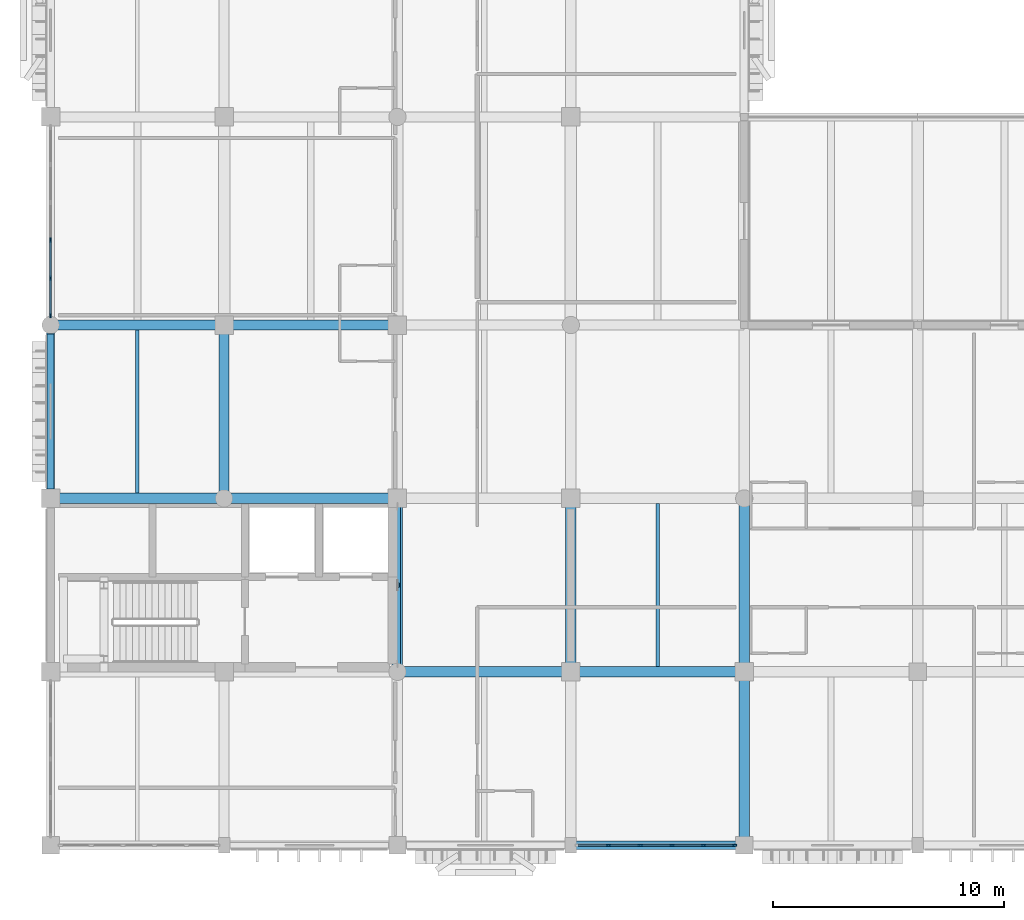
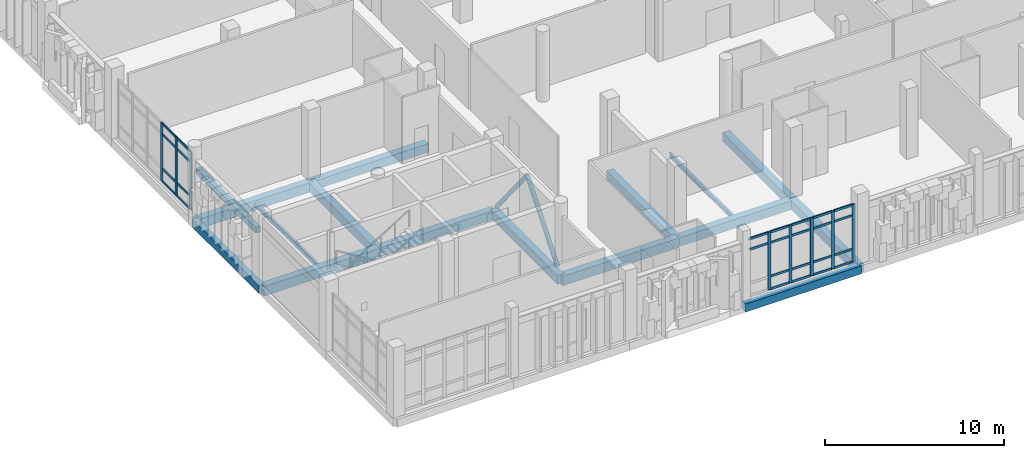
# One storey, part 17 of 131: 36 members, 16 beams, 2 elements without a shape of their own.
"""IFC4 building model written with IfcOpenShell, lengths in metres."""

from ifc_helpers import new_model, si_unit, direction, frame, origin, origin_2d, place, context, subcontext, project, spatial, rectangle, hollow_circle, i_section, extrude, material, layer, layer_set, material_profile, profile_set, type_object, element, aggregate, save


model = new_model("IFC4")

# Units and contexts
model_context = context("Model", 3, precision=1e-05, world=origin(), true_north=direction((0.0, 1.0)))
body_context = subcontext(model_context, "Body", "Model", "MODEL_VIEW")
ifc_project = project(units=[si_unit("LENGTHUNIT", "METRE"), si_unit("AREAUNIT", "SQUARE_METRE"), si_unit("VOLUMEUNIT", "CUBIC_METRE"), si_unit("PLANEANGLEUNIT", "RADIAN"), si_unit("MASSUNIT", "GRAM", prefix="KILO")], contexts=[model_context])

# Site, building, storey
site_placement = place(None, origin())
site = spatial("IfcSite", under=ifc_project, at=site_placement, CompositionType="ELEMENT")
building_placement = place(site_placement, origin())
building = spatial("IfcBuilding", under=site, at=building_placement, Name="Dalvernix Boulevard General Hospital", CompositionType="ELEMENT")
storey_placement = place(building_placement, frame((0.0, 0.0, 9.300048828125)))
storey = spatial("IfcBuildingStorey", under=building, at=storey_placement, Name="L02", CompositionType="ELEMENT", Elevation=9.300048828125)

# Beams
ifc_material_1 = material(Name="Concrete C35/45", Category="concrete")
ifc_material_profile_1 = material_profile(ifc_material_1, rectangle(XDim=0.449951171875, YDim=0.64990234375, at=origin_2d()), Name="RCB 450x650")
ifc_profile_set_1 = profile_set([ifc_material_profile_1], Name="Concrete C35/45")
beam_type_1 = type_object("IfcBeamType", Name="BM-B-03-I", PredefinedType="BEAM", material=ifc_profile_set_1)
for number, where, z_axis, x_axis, name in (
    (1, (15.0, 7.5, -0.64501953125), (1.0, 0.0, 0.0), (0.0, 1.0, 0.0), "L02 E-W girder B:3-4"),
    (2, (0.0, 15.0, -0.64501953125), (1.0, 0.0, 0.0), (0.0, 1.0, 0.0), "L02 E-W girder C:1-2"),
    (3, (0.0, 22.5, -0.64501953125), (1.0, 0.0, 0.0), (0.0, 1.0, 0.0), "L02 E-W girder D:1-2"),
):
    element("IfcBeam", number, at=place(storey_placement, frame(where, z_axis=z_axis, x_axis=x_axis)), inside=storey, type_object=beam_type_1, Name=name, PredefinedType="BEAM", context=body_context, shape_type="SweptSolid", body=[
        extrude(rectangle(XDim=0.449951171875, YDim=0.64990234375, at=origin_2d()), origin(), (0.0, 0.0, 1.0), 7.5),
    ])
ifc_material_profile_2 = material_profile(ifc_material_1, rectangle(XDim=0.449951171875, YDim=0.60009765625, at=origin_2d()), Name="RCB 450x600")
ifc_profile_set_2 = profile_set([ifc_material_profile_2], Name="Concrete C35/45")
beam_type_2 = type_object("IfcBeamType", Name="BM-B-04-I", PredefinedType="BEAM", material=ifc_profile_set_2)
for number, where, z_axis, x_axis, name in (
    (4, (22.5, 7.5, -0.6201171875), (1.0, 0.0, 0.0), (0.0, 1.0, 0.0), "L02 E-W girder B:4-5"),
    (5, (7.5, 15.0, -0.6201171875), (1.0, 0.0, 0.0), (0.0, 1.0, 0.0), "L02 E-W girder C:2-3"),
    (6, (7.5, 22.5, -0.6201171875), (1.0, 0.0, 0.0), (0.0, 1.0, 0.0), "L02 E-W girder D:2-3"),
    (7, (7.5, 15.0, -0.6201171875), (0.0, 1.0, 0.0), (-1.0, 0.0, 0.0), "L02 N-S girder 2:C-D"),
    (8, (15.0, 7.5, -0.6201171875), (0.0, 1.0, 0.0), (-1.0, 0.0, 0.0), "L02 N-S girder 3:B-C"),
    (9, (22.5, 7.5, -0.6201171875), (0.0, 1.0, 0.0), (-1.0, 0.0, 0.0), "L02 N-S girder 4:B-C"),
    (10, (30.0, 0.0, -0.6201171875), (0.0, 1.0, 0.0), (-1.0, 0.0, 0.0), "L02 N-S girder 5:A-B"),
    (11, (30.0, 7.5, -0.6201171875), (0.0, 1.0, 0.0), (-1.0, 0.0, 0.0), "L02 N-S girder 5:B-C"),
):
    element("IfcBeam", number, at=place(storey_placement, frame(where, z_axis=z_axis, x_axis=x_axis)), inside=storey, type_object=beam_type_2, Name=name, PredefinedType="BEAM", context=body_context, shape_type="SweptSolid", body=[
        extrude(rectangle(XDim=0.449951171875, YDim=0.60009765625, at=origin_2d()), origin(), (0.0, 0.0, 1.0), 7.5),
    ])
ifc_material_2 = material(Name="Steel S355", Category="steel")
ifc_material_profile_3 = material_profile(ifc_material_2, i_section(OverallWidth=0.14990234375, OverallDepth=0.300048828125, WebThickness=0.007080078125, FlangeThickness=0.0107421875, FilletRadius=0.014892578125, at=origin_2d()), Name="IPE 300")
ifc_profile_set_3 = profile_set([ifc_material_profile_3], Name="Steel S355")
beam_type_3 = type_object("IfcBeamType", Name="BM-JB-03", PredefinedType="JOIST", material=ifc_profile_set_3)
for number, where, z_axis, x_axis, name in (
    (12, (3.75, 15.22509765625, -0.469970703125), (0.0, 1.0, 0.0), (-1.0, 0.0, 0.0), "L02 secondary floor beam 1-C"),
    (13, (26.25, 7.72509765625, -0.469970703125), (0.0, 1.0, 0.0), (-1.0, 0.0, 0.0), "L02 secondary floor beam 4-B"),
):
    element("IfcBeam", number, at=place(storey_placement, frame(where, z_axis=z_axis, x_axis=x_axis)), inside=storey, type_object=beam_type_3, Name=name, PredefinedType="JOIST", context=body_context, shape_type="SweptSolid", body=[
        extrude(i_section(OverallWidth=0.14990234375, OverallDepth=0.300048828125, WebThickness=0.007080078125, FlangeThickness=0.0107421875, FilletRadius=0.014892578125, at=origin_2d()), origin(), (0.0, 0.0, 1.0), 7.0498046875),
    ])
ifc_material_3 = material(Name="Precast concrete C40/50", Category="concrete")
ifc_material_profile_4 = material_profile(ifc_material_3, rectangle(XDim=0.300048828125, YDim=0.3798828125, at=origin_2d()), Name="RCL 300x380")
ifc_profile_set_4 = profile_set([ifc_material_profile_4], Name="Precast concrete C40/50")
beam_type_4 = type_object("IfcBeamType", Name="BM-LB-02", PredefinedType="LINTEL", material=ifc_profile_set_4)
beam_placement = place(storey_placement, frame((0.0, 15.409912109375, 3.18994140625), z_axis=(0.0, 1.0, 0.0), x_axis=(-1.0, 0.0, 0.0)))
element("IfcBeam", 14, at=beam_placement, inside=storey, type_object=beam_type_4, Name="L02 precast window lintel W 0-2", PredefinedType="LINTEL", context=body_context, shape_type="SweptSolid", body=[
    extrude(rectangle(XDim=0.300048828125, YDim=0.3798828125, at=origin_2d()), origin(), (0.0, 0.0, 1.0), 6.705078125),
])
ifc_material_profile_5 = material_profile(ifc_material_1, rectangle(XDim=0.35009765625, YDim=0.550048828125, at=origin_2d()), Name="RCB 350x550")
ifc_profile_set_5 = profile_set([ifc_material_profile_5], Name="Concrete C35/45")
beam_type_5 = type_object("IfcBeamType", Name="BM-SB-01-E", PredefinedType="SPANDREL", material=ifc_profile_set_5)
for number, where, z_axis, x_axis, name in (
    (15, (22.5, 0.0, -0.594970703125), (1.0, 0.0, 0.0), (0.0, 1.0, 0.0), "L02 E-W girder A:4-5"),
    (16, (0.0, 15.0, -0.594970703125), (0.0, 1.0, 0.0), (-1.0, 0.0, 0.0), "L02 N-S girder 1:C-D"),
):
    element("IfcBeam", number, at=place(storey_placement, frame(where, z_axis=z_axis, x_axis=x_axis)), inside=storey, type_object=beam_type_5, Name=name, PredefinedType="SPANDREL", context=body_context, shape_type="SweptSolid", body=[
        extrude(rectangle(XDim=0.35009765625, YDim=0.550048828125, at=origin_2d()), origin(), (0.0, 0.0, 1.0), 7.5),
    ])

# Members
ifc_material_profile_6 = material_profile(ifc_material_2, hollow_circle(Radius=0.136474609375, WallThickness=0.010009765625, at=origin_2d()), Name="CHS 273.0x10.0")
ifc_profile_set_6 = profile_set([ifc_material_profile_6], Name="Steel S355")
member_type_1 = type_object("IfcMemberType", Name="MEM-BR-01", PredefinedType="BRACE", material=ifc_profile_set_6)
for number, where, z_axis, x_axis, name in (
    (17, (15.0, 7.85009765625, 0.0), (0.0, 0.629191729997, 0.777250131491), (-1.0, 0.0, 0.0), "L02 braced frame chevron 1A"),
    (18, (15.0, 14.64990234375, 0.0), (0.0, -0.629191729997, 0.777250131491), (1.0, 0.0, 0.0), "L02 braced frame chevron 1B"),
):
    element("IfcMember", number, at=place(storey_placement, frame(where, z_axis=z_axis, x_axis=x_axis)), inside=storey, type_object=member_type_1, Name=name, PredefinedType="BRACE", context=body_context, shape_type="SweptSolid", body=[
        extrude(hollow_circle(Radius=0.136474609375, WallThickness=0.010009765625, at=origin_2d()), origin(), (0.0, 0.0, 1.0), 5.403564453125),
    ])

# Curtain wall, members
ifc_material_4 = material(Name="Thermally broken aluminium and solar-control glass curtain wall", Category="aluminium")
ifc_layer_1 = layer(ifc_material_4, 0.199951171875)
ifc_layer_set_1 = layer_set([ifc_layer_1], Name="Thermally broken aluminium and solar-control glass curtain wall (CW-CW-C-82x40)")
curtain_wall_type_1 = type_object("IfcCurtainWallType", Name="CW-CW-C-82x40", PredefinedType="USERDEFINED", material=ifc_layer_set_1)
curtain_wall_1_placement = place(storey_placement, origin())
curtain_wall_1 = element("IfcCurtainWall", 19, at=curtain_wall_1_placement, inside=storey, type_object=curtain_wall_type_1, Name="L02 curtain wall CW-C-82x40 0-3", ObjectType="GLAZED FACADE", PredefinedType="USERDEFINED")
ifc_material_5 = material(Name="Aluminium EN AW-6060", Category="aluminium")
ifc_material_profile_7 = material_profile(ifc_material_5, rectangle(XDim=0.070068359375, YDim=0.199951171875, at=origin_2d()), Name="ALU MULL 70x200")
ifc_profile_set_7 = profile_set([ifc_material_profile_7], Name="Aluminium EN AW-6060")
member_type_2 = type_object("IfcMemberType", Name="MEM-CW-M3", PredefinedType="MULLION", material=ifc_profile_set_7)
member_1_placement = place(storey_placement, frame((0.0, 22.919921875, 0.0), z_axis=(0.0, 0.0, 1.0), x_axis=(-1.0, 0.0, 0.0)))
member_1 = element("IfcMember", 20, at=member_1_placement, type_object=member_type_2, Name="CW-C-82x40 mullion 1", PredefinedType="MULLION", context=body_context, shape_type="SweptSolid", body=[
    extrude(rectangle(XDim=0.070068359375, YDim=0.199951171875, at=origin_2d()), origin(), (0.0, 0.0, 1.0), 4.0),
])
member_2_placement = place(storey_placement, frame((0.0, 24.52587890625, 0.0), z_axis=(0.0, 0.0, 1.0), x_axis=(-1.0, 0.0, 0.0)))
member_2 = element("IfcMember", 21, at=member_2_placement, type_object=member_type_2, Name="CW-C-82x40 mullion 2", PredefinedType="MULLION", context=body_context, shape_type="SweptSolid", body=[
    extrude(rectangle(XDim=0.070068359375, YDim=0.199951171875, at=origin_2d()), origin(), (0.0, 0.0, 1.0), 4.0),
])
member_3_placement = place(storey_placement, frame((0.0, 26.1669921875, 0.0), z_axis=(0.0, 0.0, 1.0), x_axis=(-1.0, 0.0, 0.0)))
member_3 = element("IfcMember", 22, at=member_3_placement, type_object=member_type_2, Name="CW-C-82x40 mullion 3", PredefinedType="MULLION", context=body_context, shape_type="SweptSolid", body=[
    extrude(rectangle(XDim=0.070068359375, YDim=0.199951171875, at=origin_2d()), origin(), (0.0, 0.0, 1.0), 4.0),
])

ifc_layer_2 = layer(ifc_material_4, 0.199951171875)
ifc_layer_set_2 = layer_set([ifc_layer_2], Name="Thermally broken aluminium and solar-control glass curtain wall (CW-CW-C-69x40)")
curtain_wall_type_2 = type_object("IfcCurtainWallType", Name="CW-CW-C-69x40", PredefinedType="USERDEFINED", material=ifc_layer_set_2)
curtain_wall_2_placement = place(storey_placement, origin())
curtain_wall_2 = element("IfcCurtainWall", 23, at=curtain_wall_2_placement, inside=storey, type_object=curtain_wall_type_2, Name="L02 curtain wall CW-C-69x40 3-0", ObjectType="GLAZED FACADE", PredefinedType="USERDEFINED")
member_4_placement = place(storey_placement, frame((29.580078125, 0.0, 0.0), z_axis=(0.0, 0.0, 1.0), x_axis=(0.0, -1.0, 0.0)))
member_4 = element("IfcMember", 24, at=member_4_placement, type_object=member_type_2, Name="CW-C-69x40 mullion 1", PredefinedType="MULLION", context=body_context, shape_type="SweptSolid", body=[
    extrude(rectangle(XDim=0.070068359375, YDim=0.199951171875, at=origin_2d()), origin(), (0.0, 0.0, 1.0), 3.949951171875),
])
member_5_placement = place(storey_placement, frame((28.243896484375, 0.0, 0.0), z_axis=(0.0, 0.0, 1.0), x_axis=(0.0, -1.0, 0.0)))
member_5 = element("IfcMember", 25, at=member_5_placement, type_object=member_type_2, Name="CW-C-69x40 mullion 2", PredefinedType="MULLION", context=body_context, shape_type="SweptSolid", body=[
    extrude(rectangle(XDim=0.070068359375, YDim=0.199951171875, at=origin_2d()), origin(), (0.0, 0.0, 1.0), 3.949951171875),
])
member_6_placement = place(storey_placement, frame((26.873046875, 0.0, 0.0), z_axis=(0.0, 0.0, 1.0), x_axis=(0.0, -1.0, 0.0)))
member_6 = element("IfcMember", 26, at=member_6_placement, type_object=member_type_2, Name="CW-C-69x40 mullion 3", PredefinedType="MULLION", context=body_context, shape_type="SweptSolid", body=[
    extrude(rectangle(XDim=0.070068359375, YDim=0.199951171875, at=origin_2d()), origin(), (0.0, 0.0, 1.0), 3.949951171875),
])
member_7_placement = place(storey_placement, frame((25.501953125, 0.0, 0.0), z_axis=(0.0, 0.0, 1.0), x_axis=(0.0, -1.0, 0.0)))
member_7 = element("IfcMember", 27, at=member_7_placement, type_object=member_type_2, Name="CW-C-69x40 mullion 4", PredefinedType="MULLION", context=body_context, shape_type="SweptSolid", body=[
    extrude(rectangle(XDim=0.070068359375, YDim=0.199951171875, at=origin_2d()), origin(), (0.0, 0.0, 1.0), 3.949951171875),
])
member_8_placement = place(storey_placement, frame((24.131103515625, 0.0, 0.0), z_axis=(0.0, 0.0, 1.0), x_axis=(0.0, -1.0, 0.0)))
member_8 = element("IfcMember", 28, at=member_8_placement, type_object=member_type_2, Name="CW-C-69x40 mullion 5", PredefinedType="MULLION", context=body_context, shape_type="SweptSolid", body=[
    extrude(rectangle(XDim=0.070068359375, YDim=0.199951171875, at=origin_2d()), origin(), (0.0, 0.0, 1.0), 3.949951171875),
])

# Member
ifc_material_profile_8 = material_profile(ifc_material_5, rectangle(XDim=0.070068359375, YDim=0.14990234375, at=origin_2d()), Name="ALU TRAN 70x150")
ifc_profile_set_8 = profile_set([ifc_material_profile_8], Name="Aluminium EN AW-6060")
member_type_3 = type_object("IfcMemberType", Name="MEM-CW-T3", PredefinedType="USERDEFINED", material=ifc_profile_set_8)
member_9_placement = place(storey_placement, frame((0.0, 22.955078125, 0.034912109375), z_axis=(0.0, 1.0, 0.0), x_axis=(-1.0, 0.0, 0.0)))
member_9 = element("IfcMember", 29, at=member_9_placement, type_object=member_type_3, Name="CW-C-82x40 transom 1.1", ObjectType="TRANSOM", PredefinedType="USERDEFINED", context=body_context, shape_type="SweptSolid", body=[
    extrude(rectangle(XDim=0.070068359375, YDim=0.14990234375, at=origin_2d()), origin(), (0.0, 0.0, 1.0), 1.535888671875),
])

member_10_placement = place(storey_placement, frame((0.0, 22.955078125, 0.89990234375), z_axis=(0.0, 1.0, 0.0), x_axis=(-1.0, 0.0, 0.0)))
member_10 = element("IfcMember", 30, at=member_10_placement, type_object=member_type_3, Name="CW-C-82x40 transom 1.2", ObjectType="TRANSOM", PredefinedType="USERDEFINED", context=body_context, shape_type="SweptSolid", body=[
    extrude(rectangle(XDim=0.070068359375, YDim=0.14990234375, at=origin_2d()), origin(), (0.0, 0.0, 1.0), 1.535888671875),
])

member_11_placement = place(storey_placement, frame((0.0, 22.955078125, 3.25), z_axis=(0.0, 1.0, 0.0), x_axis=(-1.0, 0.0, 0.0)))
member_11 = element("IfcMember", 31, at=member_11_placement, type_object=member_type_3, Name="CW-C-82x40 transom 1.3", ObjectType="TRANSOM", PredefinedType="USERDEFINED", context=body_context, shape_type="SweptSolid", body=[
    extrude(rectangle(XDim=0.070068359375, YDim=0.14990234375, at=origin_2d()), origin(), (0.0, 0.0, 1.0), 1.535888671875),
])

member_12_placement = place(storey_placement, frame((0.0, 22.955078125, 3.96484375), z_axis=(0.0, 1.0, 0.0), x_axis=(-1.0, 0.0, 0.0)))
member_12 = element("IfcMember", 32, at=member_12_placement, type_object=member_type_3, Name="CW-C-82x40 transom 1.4", ObjectType="TRANSOM", PredefinedType="USERDEFINED", context=body_context, shape_type="SweptSolid", body=[
    extrude(rectangle(XDim=0.070068359375, YDim=0.14990234375, at=origin_2d()), origin(), (0.0, 0.0, 1.0), 1.535888671875),
])

member_13_placement = place(storey_placement, frame((0.0, 24.56103515625, 0.034912109375), z_axis=(0.0, 1.0, 0.0), x_axis=(-1.0, 0.0, 0.0)))
member_13 = element("IfcMember", 33, at=member_13_placement, type_object=member_type_3, Name="CW-C-82x40 transom 2.1", ObjectType="TRANSOM", PredefinedType="USERDEFINED", context=body_context, shape_type="SweptSolid", body=[
    extrude(rectangle(XDim=0.070068359375, YDim=0.14990234375, at=origin_2d()), origin(), (0.0, 0.0, 1.0), 1.571044921875),
])

member_14_placement = place(storey_placement, frame((0.0, 24.56103515625, 0.89990234375), z_axis=(0.0, 1.0, 0.0), x_axis=(-1.0, 0.0, 0.0)))
member_14 = element("IfcMember", 34, at=member_14_placement, type_object=member_type_3, Name="CW-C-82x40 transom 2.2", ObjectType="TRANSOM", PredefinedType="USERDEFINED", context=body_context, shape_type="SweptSolid", body=[
    extrude(rectangle(XDim=0.070068359375, YDim=0.14990234375, at=origin_2d()), origin(), (0.0, 0.0, 1.0), 1.571044921875),
])

member_15_placement = place(storey_placement, frame((0.0, 24.56103515625, 3.25), z_axis=(0.0, 1.0, 0.0), x_axis=(-1.0, 0.0, 0.0)))
member_15 = element("IfcMember", 35, at=member_15_placement, type_object=member_type_3, Name="CW-C-82x40 transom 2.3", ObjectType="TRANSOM", PredefinedType="USERDEFINED", context=body_context, shape_type="SweptSolid", body=[
    extrude(rectangle(XDim=0.070068359375, YDim=0.14990234375, at=origin_2d()), origin(), (0.0, 0.0, 1.0), 1.571044921875),
])

member_16_placement = place(storey_placement, frame((0.0, 24.56103515625, 3.96484375), z_axis=(0.0, 1.0, 0.0), x_axis=(-1.0, 0.0, 0.0)))
member_16 = element("IfcMember", 36, at=member_16_placement, type_object=member_type_3, Name="CW-C-82x40 transom 2.4", ObjectType="TRANSOM", PredefinedType="USERDEFINED", context=body_context, shape_type="SweptSolid", body=[
    extrude(rectangle(XDim=0.070068359375, YDim=0.14990234375, at=origin_2d()), origin(), (0.0, 0.0, 1.0), 1.571044921875),
])

aggregate(curtain_wall_1, [member_1, member_2, member_3, member_9, member_10, member_11, member_12, member_13, member_14, member_15, member_16])

member_17_placement = place(storey_placement, frame((29.544921875, 0.0, 0.034912109375), z_axis=(-1.0, 0.0, 0.0), x_axis=(0.0, -1.0, 0.0)))
member_17 = element("IfcMember", 37, at=member_17_placement, type_object=member_type_3, Name="CW-C-69x40 transom 1.1", ObjectType="TRANSOM", PredefinedType="USERDEFINED", context=body_context, shape_type="SweptSolid", body=[
    extrude(rectangle(XDim=0.070068359375, YDim=0.14990234375, at=origin_2d()), origin(), (0.0, 0.0, 1.0), 1.265869140625),
])

member_18_placement = place(storey_placement, frame((29.544921875, 0.0, 0.89990234375), z_axis=(-1.0, 0.0, 0.0), x_axis=(0.0, -1.0, 0.0)))
member_18 = element("IfcMember", 38, at=member_18_placement, type_object=member_type_3, Name="CW-C-69x40 transom 1.2", ObjectType="TRANSOM", PredefinedType="USERDEFINED", context=body_context, shape_type="SweptSolid", body=[
    extrude(rectangle(XDim=0.070068359375, YDim=0.14990234375, at=origin_2d()), origin(), (0.0, 0.0, 1.0), 1.265869140625),
])

member_19_placement = place(storey_placement, frame((29.544921875, 0.0, 3.199951171875), z_axis=(-1.0, 0.0, 0.0), x_axis=(0.0, -1.0, 0.0)))
member_19 = element("IfcMember", 39, at=member_19_placement, type_object=member_type_3, Name="CW-C-69x40 transom 1.3", ObjectType="TRANSOM", PredefinedType="USERDEFINED", context=body_context, shape_type="SweptSolid", body=[
    extrude(rectangle(XDim=0.070068359375, YDim=0.14990234375, at=origin_2d()), origin(), (0.0, 0.0, 1.0), 1.265869140625),
])

member_20_placement = place(storey_placement, frame((29.544921875, 0.0, 3.9150390625), z_axis=(-1.0, 0.0, 0.0), x_axis=(0.0, -1.0, 0.0)))
member_20 = element("IfcMember", 40, at=member_20_placement, type_object=member_type_3, Name="CW-C-69x40 transom 1.4", ObjectType="TRANSOM", PredefinedType="USERDEFINED", context=body_context, shape_type="SweptSolid", body=[
    extrude(rectangle(XDim=0.070068359375, YDim=0.14990234375, at=origin_2d()), origin(), (0.0, 0.0, 1.0), 1.265869140625),
])

member_21_placement = place(storey_placement, frame((28.208984375, 0.0, 0.034912109375), z_axis=(-1.0, 0.0, 0.0), x_axis=(0.0, -1.0, 0.0)))
member_21 = element("IfcMember", 41, at=member_21_placement, type_object=member_type_3, Name="CW-C-69x40 transom 2.1", ObjectType="TRANSOM", PredefinedType="USERDEFINED", context=body_context, shape_type="SweptSolid", body=[
    extrude(rectangle(XDim=0.070068359375, YDim=0.14990234375, at=origin_2d()), origin(), (0.0, 0.0, 1.0), 1.301025390625),
])

member_22_placement = place(storey_placement, frame((28.208984375, 0.0, 0.89990234375), z_axis=(-1.0, 0.0, 0.0), x_axis=(0.0, -1.0, 0.0)))
member_22 = element("IfcMember", 42, at=member_22_placement, type_object=member_type_3, Name="CW-C-69x40 transom 2.2", ObjectType="TRANSOM", PredefinedType="USERDEFINED", context=body_context, shape_type="SweptSolid", body=[
    extrude(rectangle(XDim=0.070068359375, YDim=0.14990234375, at=origin_2d()), origin(), (0.0, 0.0, 1.0), 1.301025390625),
])

member_23_placement = place(storey_placement, frame((28.208984375, 0.0, 3.199951171875), z_axis=(-1.0, 0.0, 0.0), x_axis=(0.0, -1.0, 0.0)))
member_23 = element("IfcMember", 43, at=member_23_placement, type_object=member_type_3, Name="CW-C-69x40 transom 2.3", ObjectType="TRANSOM", PredefinedType="USERDEFINED", context=body_context, shape_type="SweptSolid", body=[
    extrude(rectangle(XDim=0.070068359375, YDim=0.14990234375, at=origin_2d()), origin(), (0.0, 0.0, 1.0), 1.301025390625),
])

member_24_placement = place(storey_placement, frame((28.208984375, 0.0, 3.9150390625), z_axis=(-1.0, 0.0, 0.0), x_axis=(0.0, -1.0, 0.0)))
member_24 = element("IfcMember", 44, at=member_24_placement, type_object=member_type_3, Name="CW-C-69x40 transom 2.4", ObjectType="TRANSOM", PredefinedType="USERDEFINED", context=body_context, shape_type="SweptSolid", body=[
    extrude(rectangle(XDim=0.070068359375, YDim=0.14990234375, at=origin_2d()), origin(), (0.0, 0.0, 1.0), 1.301025390625),
])

member_25_placement = place(storey_placement, frame((26.837890625, 0.0, 0.034912109375), z_axis=(-1.0, 0.0, 0.0), x_axis=(0.0, -1.0, 0.0)))
member_25 = element("IfcMember", 45, at=member_25_placement, type_object=member_type_3, Name="CW-C-69x40 transom 3.1", ObjectType="TRANSOM", PredefinedType="USERDEFINED", context=body_context, shape_type="SweptSolid", body=[
    extrude(rectangle(XDim=0.070068359375, YDim=0.14990234375, at=origin_2d()), origin(), (0.0, 0.0, 1.0), 1.30078125),
])

member_26_placement = place(storey_placement, frame((26.837890625, 0.0, 0.89990234375), z_axis=(-1.0, 0.0, 0.0), x_axis=(0.0, -1.0, 0.0)))
member_26 = element("IfcMember", 46, at=member_26_placement, type_object=member_type_3, Name="CW-C-69x40 transom 3.2", ObjectType="TRANSOM", PredefinedType="USERDEFINED", context=body_context, shape_type="SweptSolid", body=[
    extrude(rectangle(XDim=0.070068359375, YDim=0.14990234375, at=origin_2d()), origin(), (0.0, 0.0, 1.0), 1.30078125),
])

member_27_placement = place(storey_placement, frame((26.837890625, 0.0, 3.199951171875), z_axis=(-1.0, 0.0, 0.0), x_axis=(0.0, -1.0, 0.0)))
member_27 = element("IfcMember", 47, at=member_27_placement, type_object=member_type_3, Name="CW-C-69x40 transom 3.3", ObjectType="TRANSOM", PredefinedType="USERDEFINED", context=body_context, shape_type="SweptSolid", body=[
    extrude(rectangle(XDim=0.070068359375, YDim=0.14990234375, at=origin_2d()), origin(), (0.0, 0.0, 1.0), 1.30078125),
])

member_28_placement = place(storey_placement, frame((26.837890625, 0.0, 3.9150390625), z_axis=(-1.0, 0.0, 0.0), x_axis=(0.0, -1.0, 0.0)))
member_28 = element("IfcMember", 48, at=member_28_placement, type_object=member_type_3, Name="CW-C-69x40 transom 3.4", ObjectType="TRANSOM", PredefinedType="USERDEFINED", context=body_context, shape_type="SweptSolid", body=[
    extrude(rectangle(XDim=0.070068359375, YDim=0.14990234375, at=origin_2d()), origin(), (0.0, 0.0, 1.0), 1.30078125),
])

member_29_placement = place(storey_placement, frame((25.467041015625, 0.0, 0.034912109375), z_axis=(-1.0, 0.0, 0.0), x_axis=(0.0, -1.0, 0.0)))
member_29 = element("IfcMember", 49, at=member_29_placement, type_object=member_type_3, Name="CW-C-69x40 transom 4.1", ObjectType="TRANSOM", PredefinedType="USERDEFINED", context=body_context, shape_type="SweptSolid", body=[
    extrude(rectangle(XDim=0.070068359375, YDim=0.14990234375, at=origin_2d()), origin(), (0.0, 0.0, 1.0), 1.301025390625),
])

member_30_placement = place(storey_placement, frame((25.467041015625, 0.0, 0.89990234375), z_axis=(-1.0, 0.0, 0.0), x_axis=(0.0, -1.0, 0.0)))
member_30 = element("IfcMember", 50, at=member_30_placement, type_object=member_type_3, Name="CW-C-69x40 transom 4.2", ObjectType="TRANSOM", PredefinedType="USERDEFINED", context=body_context, shape_type="SweptSolid", body=[
    extrude(rectangle(XDim=0.070068359375, YDim=0.14990234375, at=origin_2d()), origin(), (0.0, 0.0, 1.0), 1.301025390625),
])

member_31_placement = place(storey_placement, frame((25.467041015625, 0.0, 3.199951171875), z_axis=(-1.0, 0.0, 0.0), x_axis=(0.0, -1.0, 0.0)))
member_31 = element("IfcMember", 51, at=member_31_placement, type_object=member_type_3, Name="CW-C-69x40 transom 4.3", ObjectType="TRANSOM", PredefinedType="USERDEFINED", context=body_context, shape_type="SweptSolid", body=[
    extrude(rectangle(XDim=0.070068359375, YDim=0.14990234375, at=origin_2d()), origin(), (0.0, 0.0, 1.0), 1.301025390625),
])

member_32_placement = place(storey_placement, frame((25.467041015625, 0.0, 3.9150390625), z_axis=(-1.0, 0.0, 0.0), x_axis=(0.0, -1.0, 0.0)))
member_32 = element("IfcMember", 52, at=member_32_placement, type_object=member_type_3, Name="CW-C-69x40 transom 4.4", ObjectType="TRANSOM", PredefinedType="USERDEFINED", context=body_context, shape_type="SweptSolid", body=[
    extrude(rectangle(XDim=0.070068359375, YDim=0.14990234375, at=origin_2d()), origin(), (0.0, 0.0, 1.0), 1.301025390625),
])

member_33_placement = place(storey_placement, frame((24.095947265625, 0.0, 3.199951171875), z_axis=(-1.0, 0.0, 0.0), x_axis=(0.0, -1.0, 0.0)))
member_33 = element("IfcMember", 53, at=member_33_placement, type_object=member_type_3, Name="CW-C-69x40 transom 5.3", ObjectType="TRANSOM", PredefinedType="USERDEFINED", context=body_context, shape_type="SweptSolid", body=[
    extrude(rectangle(XDim=0.070068359375, YDim=0.14990234375, at=origin_2d()), origin(), (0.0, 0.0, 1.0), 1.265869140625),
])

member_34_placement = place(storey_placement, frame((24.095947265625, 0.0, 3.9150390625), z_axis=(-1.0, 0.0, 0.0), x_axis=(0.0, -1.0, 0.0)))
member_34 = element("IfcMember", 54, at=member_34_placement, type_object=member_type_3, Name="CW-C-69x40 transom 5.4", ObjectType="TRANSOM", PredefinedType="USERDEFINED", context=body_context, shape_type="SweptSolid", body=[
    extrude(rectangle(XDim=0.070068359375, YDim=0.14990234375, at=origin_2d()), origin(), (0.0, 0.0, 1.0), 1.265869140625),
])

aggregate(curtain_wall_2, [member_4, member_5, member_6, member_7, member_8, member_17, member_18, member_19, member_20, member_21, member_22, member_23, member_24, member_25, member_26, member_27, member_28, member_29, member_30, member_31, member_32, member_33, member_34])

save(model, "model.ifc")
